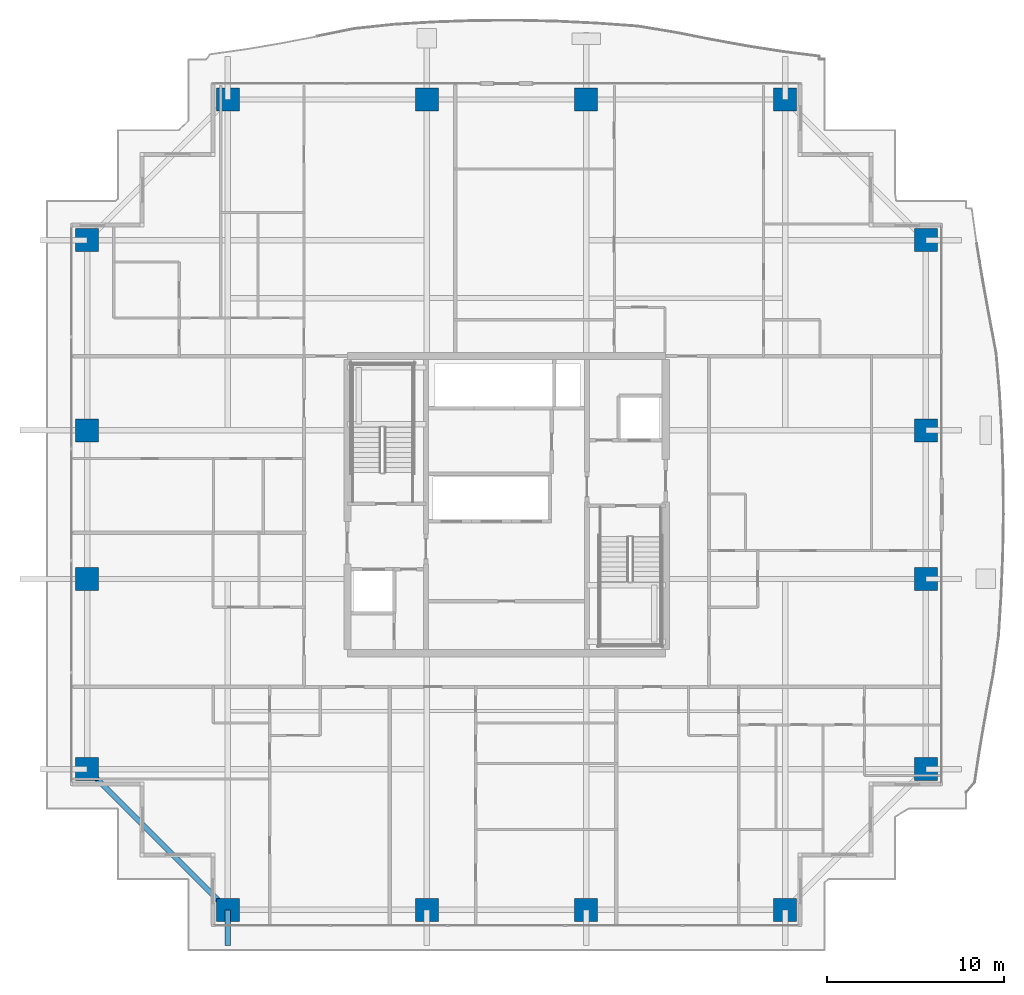
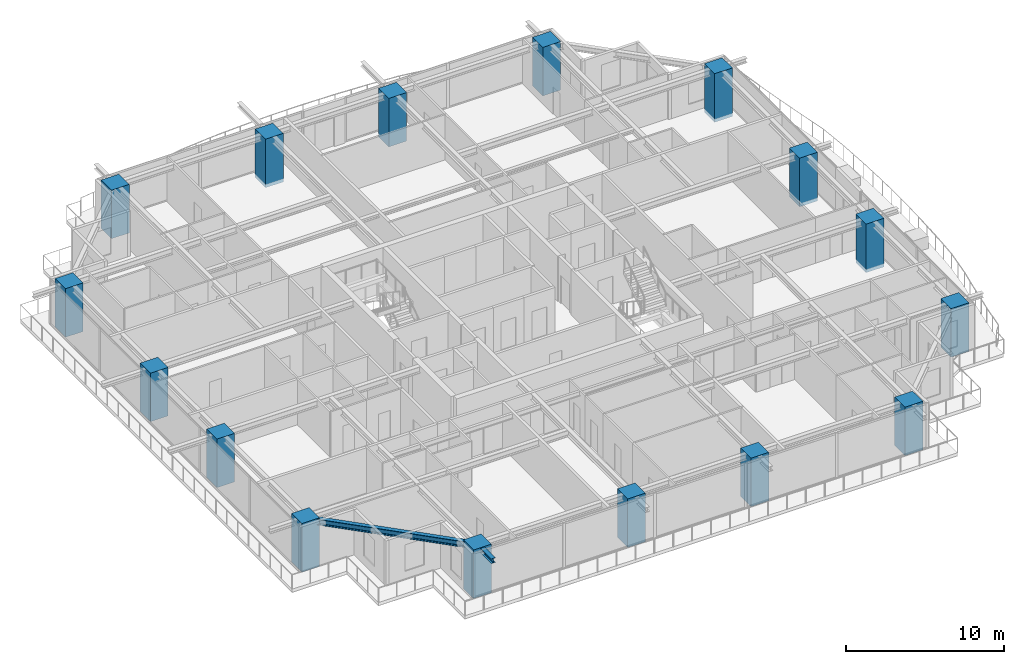
# One storey, part 1 of 33: 16 columns, 2 beams.
"""IFC4 building model written with IfcOpenShell, lengths in metres."""

from ifc_helpers import new_model, si_unit, direction, frame, origin, origin_2d, place, context, subcontext, project, spatial, rectangle, i_section, extrude, source, transform, mapped, material, material_profile, profile_set, type_object, element, save


model = new_model("IFC4")

# Units and contexts
model_context = context("Model", 3, precision=1e-05, world=origin(), true_north=direction((0.0, 1.0)))
body_context = subcontext(model_context, "Body", "Model", "MODEL_VIEW")
ifc_project = project(units=[si_unit("LENGTHUNIT", "METRE"), si_unit("AREAUNIT", "SQUARE_METRE"), si_unit("VOLUMEUNIT", "CUBIC_METRE"), si_unit("PLANEANGLEUNIT", "RADIAN"), si_unit("MASSUNIT", "GRAM", prefix="KILO")], contexts=[model_context])

# Site, building, storey
site_placement = place(None, origin())
site = spatial("IfcSite", under=ifc_project, at=site_placement, CompositionType="ELEMENT")
building_placement = place(site_placement, origin())
building = spatial("IfcBuilding", under=site, at=building_placement, Name="Serunith Strait Residences", CompositionType="ELEMENT")
storey_placement = place(building_placement, frame((0.0, 0.0, 165.14990234375)))
storey = spatial("IfcBuildingStorey", under=building, at=storey_placement, Name="L41", CompositionType="ELEMENT", Elevation=165.14990234375)

# Columns
ifc_material_1 = material(Name="Concrete C80/95", Category="concrete")
ifc_material_profile_1 = material_profile(ifc_material_1, rectangle(XDim=1.300048828125, YDim=1.300048828125, at=origin_2d()), Name="RC 1300x1300")
ifc_profile_set_1 = profile_set([ifc_material_profile_1], Name="Concrete C80/95")
column_type = type_object("IfcColumnType", Name="COL-RC-1300", PredefinedType="COLUMN", material=ifc_profile_set_1)
shared_shape_1 = source(origin(), body_context, "Body", "SweptSolid", [
    extrude(rectangle(XDim=1.300048828125, YDim=1.300048828125, at=origin_2d()), origin(), (0.0, 0.0, 1.0), 3.75),
])
for number, where, z_axis, x_axis, name in (
    (1, (16.64990234375, 2.300048828125, -0.260009765625), (0.0, 0.0, 1.0), (1.0, 0.0, 0.0), "L41 Tower Mega-Column TC-S1"),
    (2, (27.89990234375, 2.300048828125, -0.260009765625), (0.0, 0.0, 1.0), (1.0, 0.0, 0.0), "L41 Tower Mega-Column TC-S2"),
    (3, (36.89990234375, 2.300048828125, -0.260009765625), (0.0, 0.0, 1.0), (1.0, 0.0, 0.0), "L41 Tower Mega-Column TC-S3"),
    (4, (48.14990234375, 2.300048828125, -0.260009765625), (0.0, 0.0, 1.0), (1.0, 0.0, 0.0), "L41 Tower Mega-Column TC-S4"),
    (5, (16.64990234375, 48.10009765625, -0.260009765625), (0.0, 0.0, 1.0), (1.0, 0.0, 0.0), "L41 Tower Mega-Column TC-N1"),
    (6, (27.89990234375, 48.10009765625, -0.260009765625), (0.0, 0.0, 1.0), (1.0, 0.0, 0.0), "L41 Tower Mega-Column TC-N2"),
    (7, (36.89990234375, 48.10009765625, -0.260009765625), (0.0, 0.0, 1.0), (1.0, 0.0, 0.0), "L41 Tower Mega-Column TC-N3"),
    (8, (48.14990234375, 48.10009765625, -0.260009765625), (0.0, 0.0, 1.0), (1.0, 0.0, 0.0), "L41 Tower Mega-Column TC-N4"),
    (9, (56.10009765625, 10.25, -0.260009765625), (0.0, 0.0, 1.0), (1.0, 0.0, 0.0), "L41 Tower Mega-Column TC-E1"),
    (10, (56.10009765625, 21.0, -0.260009765625), (0.0, 0.0, 1.0), (1.0, 0.0, 0.0), "L41 Tower Mega-Column TC-E2"),
    (11, (56.10009765625, 29.39990234375, -0.260009765625), (0.0, 0.0, 1.0), (1.0, 0.0, 0.0), "L41 Tower Mega-Column TC-E3"),
    (12, (56.10009765625, 40.14990234375, -0.260009765625), (0.0, 0.0, 1.0), (1.0, 0.0, 0.0), "L41 Tower Mega-Column TC-E4"),
    (13, (8.699951171875, 10.25, -0.260009765625), (0.0, 0.0, 1.0), (1.0, 0.0, 0.0), "L41 Tower Mega-Column TC-W1"),
    (14, (8.699951171875, 21.0, -0.260009765625), (0.0, 0.0, 1.0), (1.0, 0.0, 0.0), "L41 Tower Mega-Column TC-W2"),
    (15, (8.699951171875, 29.39990234375, -0.260009765625), (0.0, 0.0, 1.0), (1.0, 0.0, 0.0), "L41 Tower Mega-Column TC-W3"),
    (16, (8.699951171875, 40.14990234375, -0.260009765625), (0.0, 0.0, 1.0), (1.0, 0.0, 0.0), "L41 Tower Mega-Column TC-W4"),
):
    element("IfcColumn", number, at=place(storey_placement, frame(where, z_axis=z_axis, x_axis=x_axis)), inside=storey, type_object=column_type, Name=name, PredefinedType="COLUMN", context=body_context, shape_type="MappedRepresentation", body=[
        mapped(shared_shape_1, transform((0.0, 0.0, 0.0), scale=1.0)),
    ])

# Beams
ifc_material_2 = material(Name="Steel S355J2", Category="steel")
ifc_material_profile_2 = material_profile(ifc_material_2, i_section(OverallWidth=0.300048828125, OverallDepth=0.449951171875, WebThickness=0.013916015625, FlangeThickness=0.02587890625, FilletRadius=0.027099609375, at=origin_2d()), Name="HEB 450")
ifc_profile_set_2 = profile_set([ifc_material_profile_2], Name="Steel S355J2")
beam_type_1 = type_object("IfcBeamType", Name="BM-HEB450", PredefinedType="BEAM", material=ifc_profile_set_2)
shared_shape_2 = source(origin(), body_context, "Body", "SweptSolid", [
    extrude(i_section(OverallWidth=0.300048828125, OverallDepth=0.449951171875, WebThickness=0.013916015625, FlangeThickness=0.02587890625, FilletRadius=0.027099609375, at=origin_2d()), origin(), (0.0, 0.0, 1.0), 11.242919921875),
])
beam_1_placement = place(storey_placement, frame((8.699951171875, 10.25, 3.232177734375), z_axis=(0.707106781187, -0.707106781187, 0.0), x_axis=(0.707106781187, 0.707106781187, 0.0)))
element("IfcBeam", 17, at=beam_1_placement, inside=storey, type_object=beam_type_1, Name="L41 Perimeter Ring Beam 16", PredefinedType="BEAM", context=body_context, shape_type="MappedRepresentation", body=[
    mapped(shared_shape_2, transform((0.0, 0.0, 0.0), scale=1.0)),
])
ifc_material_profile_3 = material_profile(ifc_material_2, i_section(OverallWidth=0.300048828125, OverallDepth=0.360107421875, WebThickness=0.012451171875, FlangeThickness=0.0224609375, FilletRadius=0.027099609375, at=origin_2d()), Name="HEB 360")
ifc_profile_set_3 = profile_set([ifc_material_profile_3], Name="Steel S355J2")
beam_type_2 = type_object("IfcBeamType", Name="BM-HEB360", PredefinedType="BEAM", material=ifc_profile_set_3)
shared_shape_3 = source(origin(), body_context, "Body", "SweptSolid", [
    extrude(i_section(OverallWidth=0.300048828125, OverallDepth=0.360107421875, WebThickness=0.012451171875, FlangeThickness=0.0224609375, FilletRadius=0.027099609375, at=origin_2d()), origin(), (0.0, 0.0, 1.0), 2.030029296875),
])
beam_2_placement = place(storey_placement, frame((16.64990234375, 2.300048828125, 3.277099609375), z_axis=(0.0, -1.0, 0.0), x_axis=(1.0, 0.0, 0.0)))
element("IfcBeam", 18, at=beam_2_placement, inside=storey, type_object=beam_type_2, Name="L42 Cantilevered Balcony Rib TC-S1", PredefinedType="BEAM", context=body_context, shape_type="MappedRepresentation", body=[
    mapped(shared_shape_3, transform((0.0, 0.0, 0.0), scale=1.0)),
])

save(model, "model.ifc")
